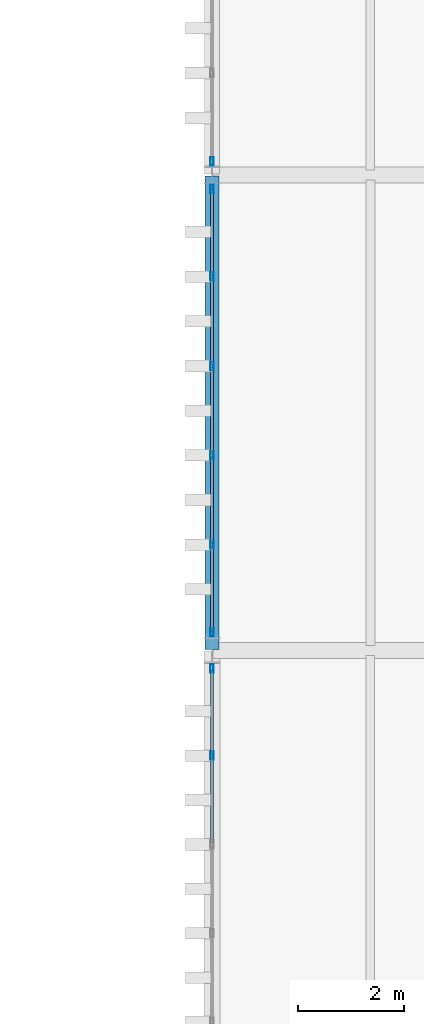
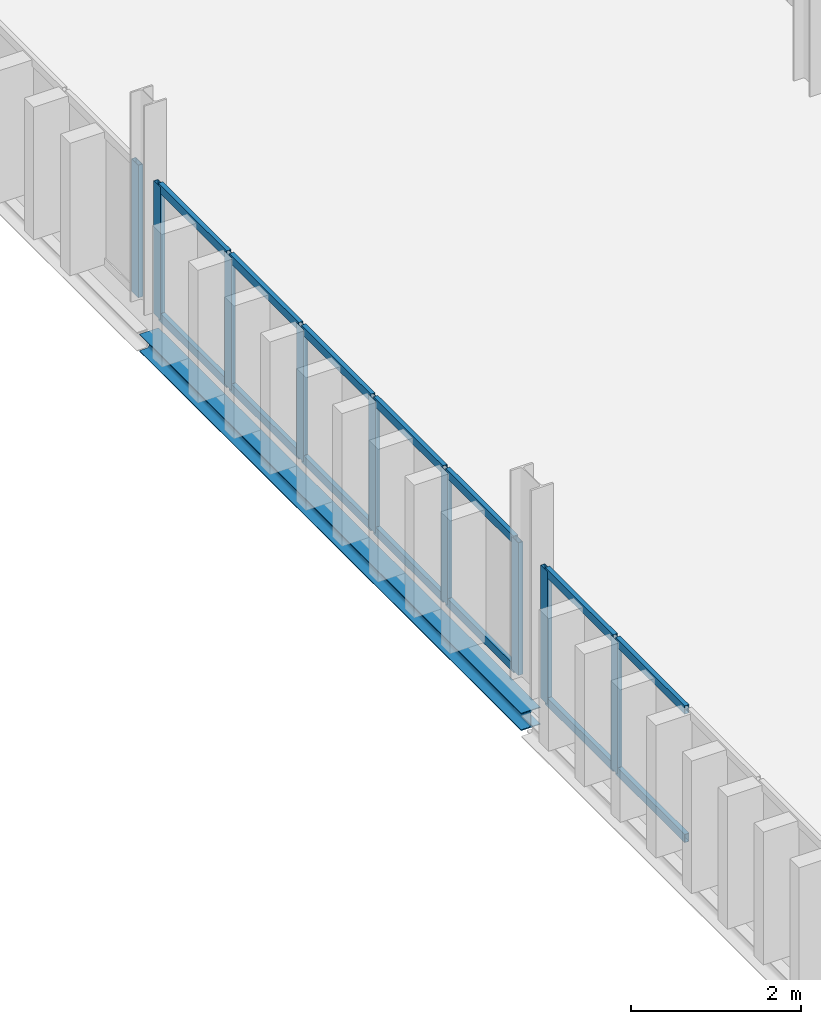
# One storey, part 30 of 58: 23 members, 1 beam, 3 elements without a shape of their own.
"""IFC4 building model written with IfcOpenShell, lengths in metres."""

from ifc_helpers import new_model, si_unit, direction, frame, origin, origin_2d, place, context, subcontext, project, spatial, hollow_rectangle, i_section, extrude, material, layer, layer_set, material_profile, profile_set, type_object, element, aggregate, save


model = new_model("IFC4")

# Units and contexts
model_context = context("Model", 3, precision=1e-05, world=origin(), true_north=direction((0.0, 1.0)))
body_context = subcontext(model_context, "Body", "Model", "MODEL_VIEW")
ifc_project = project(units=[si_unit("LENGTHUNIT", "METRE"), si_unit("AREAUNIT", "SQUARE_METRE"), si_unit("VOLUMEUNIT", "CUBIC_METRE"), si_unit("PLANEANGLEUNIT", "RADIAN"), si_unit("MASSUNIT", "GRAM", prefix="KILO")], contexts=[model_context])

# Site, building, storey
site_placement = place(None, origin())
site = spatial("IfcSite", under=ifc_project, at=site_placement, CompositionType="ELEMENT")
building_placement = place(site_placement, origin())
building = spatial("IfcBuilding", under=site, at=building_placement, Name="Barlavento Convention Centre", CompositionType="ELEMENT")
storey_placement = place(building_placement, frame((0.0, 0.0, 26.800048828125)))
storey = spatial("IfcBuildingStorey", under=building, at=storey_placement, Name="L05", CompositionType="ELEMENT", Elevation=26.800048828125)

# Curtain wall, members
ifc_material_1 = material(Name="Powder-coated aluminium and Low-E glass", Category="aluminium")
ifc_layer = layer(ifc_material_1, 0.18994140625)
ifc_layer_set = layer_set([ifc_layer], Name="ARC-CW-CONF-L05")
curtain_wall_type = type_object("IfcCurtainWallType", Name="ARC-CW-CONF-L05", PredefinedType="NOTDEFINED", material=ifc_layer_set)
curtain_wall_1_placement = place(storey_placement, origin())
curtain_wall_1 = element("IfcCurtainWall", 1, at=curtain_wall_1_placement, inside=storey, type_object=curtain_wall_type, Name="L05 unitised curtain wall CW10", PredefinedType="NOTDEFINED")
ifc_material_2 = material(Name="Powder-coated aluminium", Category="aluminium")
ifc_material_profile_1 = material_profile(ifc_material_2, hollow_rectangle(XDim=0.06005859375, YDim=0.159912109375, WallThickness=0.00390625, at=origin_2d()), Name="AL-MULL 60x160x4")
ifc_profile_set_1 = profile_set([ifc_material_profile_1], Name="Powder-coated aluminium")
member_type_1 = type_object("IfcMemberType", Name="ARC-CWM-60X160", PredefinedType="MULLION", material=ifc_profile_set_1)
member_1_placement = place(storey_placement, frame((171.0, 61.009033203125, 0.0), z_axis=(0.0, 0.0, 1.0), x_axis=(-1.0, 0.0, 0.0)))
member_1 = element("IfcMember", 2, at=member_1_placement, type_object=member_type_1, Name="CW10 mullion 5", PredefinedType="MULLION", context=body_context, shape_type="SweptSolid", body=[
    extrude(hollow_rectangle(XDim=0.06005859375, YDim=0.159912109375, WallThickness=0.00390625, at=origin_2d()), origin(), (0.0, 0.0, 1.0), 1.89990234375),
])
member_2_placement = place(storey_placement, frame((171.0, 62.659912109375, 0.0), z_axis=(0.0, 0.0, 1.0), x_axis=(-1.0, 0.0, 0.0)))
member_2 = element("IfcMember", 3, at=member_2_placement, type_object=member_type_1, Name="CW10 mullion 6", PredefinedType="MULLION", context=body_context, shape_type="SweptSolid", body=[
    extrude(hollow_rectangle(XDim=0.06005859375, YDim=0.159912109375, WallThickness=0.00390625, at=origin_2d()), origin(), (0.0, 0.0, 1.0), 1.89990234375),
])

curtain_wall_2_placement = place(storey_placement, origin())
curtain_wall_2 = element("IfcCurtainWall", 4, at=curtain_wall_2_placement, inside=storey, type_object=curtain_wall_type, Name="L05 unitised curtain wall CW10", PredefinedType="NOTDEFINED")
member_3_placement = place(storey_placement, frame((171.0, 63.340087890625, 0.0), z_axis=(0.0, 0.0, 1.0), x_axis=(-1.0, 0.0, 0.0)))
member_3 = element("IfcMember", 5, at=member_3_placement, type_object=member_type_1, Name="CW10 mullion 1", PredefinedType="MULLION", context=body_context, shape_type="SweptSolid", body=[
    extrude(hollow_rectangle(XDim=0.06005859375, YDim=0.159912109375, WallThickness=0.00390625, at=origin_2d()), origin(), (0.0, 0.0, 1.0), 1.89990234375),
])
member_4_placement = place(storey_placement, frame((171.0, 65.001953125, 0.0), z_axis=(0.0, 0.0, 1.0), x_axis=(-1.0, 0.0, 0.0)))
member_4 = element("IfcMember", 6, at=member_4_placement, type_object=member_type_1, Name="CW10 mullion 2", PredefinedType="MULLION", context=body_context, shape_type="SweptSolid", body=[
    extrude(hollow_rectangle(XDim=0.06005859375, YDim=0.159912109375, WallThickness=0.00390625, at=origin_2d()), origin(), (0.0, 0.0, 1.0), 1.89990234375),
])
member_5_placement = place(storey_placement, frame((171.0, 66.694091796875, 0.0), z_axis=(0.0, 0.0, 1.0), x_axis=(-1.0, 0.0, 0.0)))
member_5 = element("IfcMember", 7, at=member_5_placement, type_object=member_type_1, Name="CW10 mullion 3", PredefinedType="MULLION", context=body_context, shape_type="SweptSolid", body=[
    extrude(hollow_rectangle(XDim=0.06005859375, YDim=0.159912109375, WallThickness=0.00390625, at=origin_2d()), origin(), (0.0, 0.0, 1.0), 1.89990234375),
])
member_6_placement = place(storey_placement, frame((171.0, 68.385986328125, 0.0), z_axis=(0.0, 0.0, 1.0), x_axis=(-1.0, 0.0, 0.0)))
member_6 = element("IfcMember", 8, at=member_6_placement, type_object=member_type_1, Name="CW10 mullion 4", PredefinedType="MULLION", context=body_context, shape_type="SweptSolid", body=[
    extrude(hollow_rectangle(XDim=0.06005859375, YDim=0.159912109375, WallThickness=0.00390625, at=origin_2d()), origin(), (0.0, 0.0, 1.0), 1.89990234375),
])
member_7_placement = place(storey_placement, frame((171.0, 70.077880859375, 0.0), z_axis=(0.0, 0.0, 1.0), x_axis=(-1.0, 0.0, 0.0)))
member_7 = element("IfcMember", 9, at=member_7_placement, type_object=member_type_1, Name="CW10 mullion 5", PredefinedType="MULLION", context=body_context, shape_type="SweptSolid", body=[
    extrude(hollow_rectangle(XDim=0.06005859375, YDim=0.159912109375, WallThickness=0.00390625, at=origin_2d()), origin(), (0.0, 0.0, 1.0), 1.89990234375),
])
member_8_placement = place(storey_placement, frame((171.0, 71.739990234375, 0.0), z_axis=(0.0, 0.0, 1.0), x_axis=(-1.0, 0.0, 0.0)))
member_8 = element("IfcMember", 10, at=member_8_placement, type_object=member_type_1, Name="CW10 mullion 6", PredefinedType="MULLION", context=body_context, shape_type="SweptSolid", body=[
    extrude(hollow_rectangle(XDim=0.06005859375, YDim=0.159912109375, WallThickness=0.00390625, at=origin_2d()), origin(), (0.0, 0.0, 1.0), 1.89990234375),
])

# Curtain wall, member
curtain_wall_3_placement = place(storey_placement, origin())
curtain_wall_3 = element("IfcCurtainWall", 11, at=curtain_wall_3_placement, inside=storey, type_object=curtain_wall_type, Name="L05 unitised curtain wall CW10", PredefinedType="NOTDEFINED")
member_9_placement = place(storey_placement, frame((171.0, 72.260009765625, 0.0), z_axis=(0.0, 0.0, 1.0), x_axis=(-1.0, 0.0, 0.0)))
member_9 = element("IfcMember", 12, at=member_9_placement, type_object=member_type_1, Name="CW10 mullion 1", PredefinedType="MULLION", context=body_context, shape_type="SweptSolid", body=[
    extrude(hollow_rectangle(XDim=0.06005859375, YDim=0.159912109375, WallThickness=0.00390625, at=origin_2d()), origin(), (0.0, 0.0, 1.0), 1.89990234375),
])
aggregate(curtain_wall_3, [member_9])

# Member
ifc_material_profile_2 = material_profile(ifc_material_2, hollow_rectangle(XDim=0.06005859375, YDim=0.1201171875, WallThickness=0.00390625, at=origin_2d()), Name="AL-TRAN 60x120x4")
ifc_profile_set_2 = profile_set([ifc_material_profile_2], Name="Powder-coated aluminium")
member_type_2 = type_object("IfcMemberType", Name="ARC-CWT-60X120", PredefinedType="USERDEFINED", material=ifc_profile_set_2)
member_10_placement = place(storey_placement, frame((171.0, 59.35791015625, 0.030029296875), z_axis=(0.0, 1.0, 0.0), x_axis=(-1.0, 0.0, 0.0)))
member_10 = element("IfcMember", 13, at=member_10_placement, type_object=member_type_2, Name="CW10 transom 4.1", ObjectType="TRANSOM", PredefinedType="USERDEFINED", context=body_context, shape_type="SweptSolid", body=[
    extrude(hollow_rectangle(XDim=0.06005859375, YDim=0.1201171875, WallThickness=0.00390625, at=origin_2d()), origin(), (0.0, 0.0, 1.0), 1.62109375),
])

member_11_placement = place(storey_placement, frame((171.0, 59.35791015625, 1.869873046875), z_axis=(0.0, 1.0, 0.0), x_axis=(-1.0, 0.0, 0.0)))
member_11 = element("IfcMember", 14, at=member_11_placement, type_object=member_type_2, Name="CW10 transom 4.2", ObjectType="TRANSOM", PredefinedType="USERDEFINED", context=body_context, shape_type="SweptSolid", body=[
    extrude(hollow_rectangle(XDim=0.06005859375, YDim=0.1201171875, WallThickness=0.00390625, at=origin_2d()), origin(), (0.0, 0.0, 1.0), 1.62109375),
])

member_12_placement = place(storey_placement, frame((171.0, 61.0390625, 0.030029296875), z_axis=(0.0, 1.0, 0.0), x_axis=(-1.0, 0.0, 0.0)))
member_12 = element("IfcMember", 15, at=member_12_placement, type_object=member_type_2, Name="CW10 transom 5.1", ObjectType="TRANSOM", PredefinedType="USERDEFINED", context=body_context, shape_type="SweptSolid", body=[
    extrude(hollow_rectangle(XDim=0.06005859375, YDim=0.1201171875, WallThickness=0.00390625, at=origin_2d()), origin(), (0.0, 0.0, 1.0), 1.5908203125),
])

member_13_placement = place(storey_placement, frame((171.0, 61.0390625, 1.869873046875), z_axis=(0.0, 1.0, 0.0), x_axis=(-1.0, 0.0, 0.0)))
member_13 = element("IfcMember", 16, at=member_13_placement, type_object=member_type_2, Name="CW10 transom 5.2", ObjectType="TRANSOM", PredefinedType="USERDEFINED", context=body_context, shape_type="SweptSolid", body=[
    extrude(hollow_rectangle(XDim=0.06005859375, YDim=0.1201171875, WallThickness=0.00390625, at=origin_2d()), origin(), (0.0, 0.0, 1.0), 1.5908203125),
])

aggregate(curtain_wall_1, [member_1, member_2, member_10, member_11, member_12, member_13])

member_14_placement = place(storey_placement, frame((171.0, 63.3701171875, 0.030029296875), z_axis=(0.0, 1.0, 0.0), x_axis=(-1.0, 0.0, 0.0)))
member_14 = element("IfcMember", 17, at=member_14_placement, type_object=member_type_2, Name="CW10 transom 1.1", ObjectType="TRANSOM", PredefinedType="USERDEFINED", context=body_context, shape_type="SweptSolid", body=[
    extrude(hollow_rectangle(XDim=0.06005859375, YDim=0.1201171875, WallThickness=0.00390625, at=origin_2d()), origin(), (0.0, 0.0, 1.0), 1.601806640625),
])

member_15_placement = place(storey_placement, frame((171.0, 63.3701171875, 1.869873046875), z_axis=(0.0, 1.0, 0.0), x_axis=(-1.0, 0.0, 0.0)))
member_15 = element("IfcMember", 18, at=member_15_placement, type_object=member_type_2, Name="CW10 transom 1.2", ObjectType="TRANSOM", PredefinedType="USERDEFINED", context=body_context, shape_type="SweptSolid", body=[
    extrude(hollow_rectangle(XDim=0.06005859375, YDim=0.1201171875, WallThickness=0.00390625, at=origin_2d()), origin(), (0.0, 0.0, 1.0), 1.601806640625),
])

member_16_placement = place(storey_placement, frame((171.0, 65.031982421875, 0.030029296875), z_axis=(0.0, 1.0, 0.0), x_axis=(-1.0, 0.0, 0.0)))
member_16 = element("IfcMember", 19, at=member_16_placement, type_object=member_type_2, Name="CW10 transom 2.1", ObjectType="TRANSOM", PredefinedType="USERDEFINED", context=body_context, shape_type="SweptSolid", body=[
    extrude(hollow_rectangle(XDim=0.06005859375, YDim=0.1201171875, WallThickness=0.00390625, at=origin_2d()), origin(), (0.0, 0.0, 1.0), 1.632080078125),
])

member_17_placement = place(storey_placement, frame((171.0, 65.031982421875, 1.869873046875), z_axis=(0.0, 1.0, 0.0), x_axis=(-1.0, 0.0, 0.0)))
member_17 = element("IfcMember", 20, at=member_17_placement, type_object=member_type_2, Name="CW10 transom 2.2", ObjectType="TRANSOM", PredefinedType="USERDEFINED", context=body_context, shape_type="SweptSolid", body=[
    extrude(hollow_rectangle(XDim=0.06005859375, YDim=0.1201171875, WallThickness=0.00390625, at=origin_2d()), origin(), (0.0, 0.0, 1.0), 1.632080078125),
])

member_18_placement = place(storey_placement, frame((171.0, 66.72412109375, 0.030029296875), z_axis=(0.0, 1.0, 0.0), x_axis=(-1.0, 0.0, 0.0)))
member_18 = element("IfcMember", 21, at=member_18_placement, type_object=member_type_2, Name="CW10 transom 3.1", ObjectType="TRANSOM", PredefinedType="USERDEFINED", context=body_context, shape_type="SweptSolid", body=[
    extrude(hollow_rectangle(XDim=0.06005859375, YDim=0.1201171875, WallThickness=0.00390625, at=origin_2d()), origin(), (0.0, 0.0, 1.0), 1.6318359375),
])

member_19_placement = place(storey_placement, frame((171.0, 66.72412109375, 1.869873046875), z_axis=(0.0, 1.0, 0.0), x_axis=(-1.0, 0.0, 0.0)))
member_19 = element("IfcMember", 22, at=member_19_placement, type_object=member_type_2, Name="CW10 transom 3.2", ObjectType="TRANSOM", PredefinedType="USERDEFINED", context=body_context, shape_type="SweptSolid", body=[
    extrude(hollow_rectangle(XDim=0.06005859375, YDim=0.1201171875, WallThickness=0.00390625, at=origin_2d()), origin(), (0.0, 0.0, 1.0), 1.6318359375),
])

member_20_placement = place(storey_placement, frame((171.0, 68.416015625, 0.030029296875), z_axis=(0.0, 1.0, 0.0), x_axis=(-1.0, 0.0, 0.0)))
member_20 = element("IfcMember", 23, at=member_20_placement, type_object=member_type_2, Name="CW10 transom 4.1", ObjectType="TRANSOM", PredefinedType="USERDEFINED", context=body_context, shape_type="SweptSolid", body=[
    extrude(hollow_rectangle(XDim=0.06005859375, YDim=0.1201171875, WallThickness=0.00390625, at=origin_2d()), origin(), (0.0, 0.0, 1.0), 1.632080078125),
])

member_21_placement = place(storey_placement, frame((171.0, 68.416015625, 1.869873046875), z_axis=(0.0, 1.0, 0.0), x_axis=(-1.0, 0.0, 0.0)))
member_21 = element("IfcMember", 24, at=member_21_placement, type_object=member_type_2, Name="CW10 transom 4.2", ObjectType="TRANSOM", PredefinedType="USERDEFINED", context=body_context, shape_type="SweptSolid", body=[
    extrude(hollow_rectangle(XDim=0.06005859375, YDim=0.1201171875, WallThickness=0.00390625, at=origin_2d()), origin(), (0.0, 0.0, 1.0), 1.632080078125),
])

member_22_placement = place(storey_placement, frame((171.0, 70.10791015625, 0.030029296875), z_axis=(0.0, 1.0, 0.0), x_axis=(-1.0, 0.0, 0.0)))
member_22 = element("IfcMember", 25, at=member_22_placement, type_object=member_type_2, Name="CW10 transom 5.1", ObjectType="TRANSOM", PredefinedType="USERDEFINED", context=body_context, shape_type="SweptSolid", body=[
    extrude(hollow_rectangle(XDim=0.06005859375, YDim=0.1201171875, WallThickness=0.00390625, at=origin_2d()), origin(), (0.0, 0.0, 1.0), 1.60205078125),
])

member_23_placement = place(storey_placement, frame((171.0, 70.10791015625, 1.869873046875), z_axis=(0.0, 1.0, 0.0), x_axis=(-1.0, 0.0, 0.0)))
member_23 = element("IfcMember", 26, at=member_23_placement, type_object=member_type_2, Name="CW10 transom 5.2", ObjectType="TRANSOM", PredefinedType="USERDEFINED", context=body_context, shape_type="SweptSolid", body=[
    extrude(hollow_rectangle(XDim=0.06005859375, YDim=0.1201171875, WallThickness=0.00390625, at=origin_2d()), origin(), (0.0, 0.0, 1.0), 1.60205078125),
])

aggregate(curtain_wall_2, [member_3, member_4, member_5, member_6, member_7, member_8, member_14, member_15, member_16, member_17, member_18, member_19, member_20, member_21, member_22, member_23])

# Beam
ifc_material_3 = material(Name="Steel S355", Category="steel")
ifc_material_profile_3 = material_profile(ifc_material_3, i_section(OverallWidth=0.260009765625, OverallDepth=0.25, WebThickness=0.007568359375, FlangeThickness=0.012451171875, FilletRadius=0.02392578125, at=origin_2d()), Name="HEA 260")
ifc_profile_set_3 = profile_set([ifc_material_profile_3], Name="Steel S355")
beam_type = type_object("IfcBeamType", Name="STR-BM-SPN-HEA260", PredefinedType="SPANDREL", material=ifc_profile_set_3)
beam_placement = place(storey_placement, frame((171.0, 63.02001953125, -0.485107421875), z_axis=(0.0, 1.0, 0.0), x_axis=(-1.0, 0.0, 0.0)))
element("IfcBeam", 27, at=beam_placement, inside=storey, type_object=beam_type, Name="L05 grid girder SP04", PredefinedType="SPANDREL", context=body_context, shape_type="SweptSolid", body=[
    extrude(i_section(OverallWidth=0.260009765625, OverallDepth=0.25, WebThickness=0.007568359375, FlangeThickness=0.012451171875, FilletRadius=0.02392578125, at=origin_2d()), origin(), (0.0, 0.0, 1.0), 8.9599609375),
])

save(model, "model.ifc")
